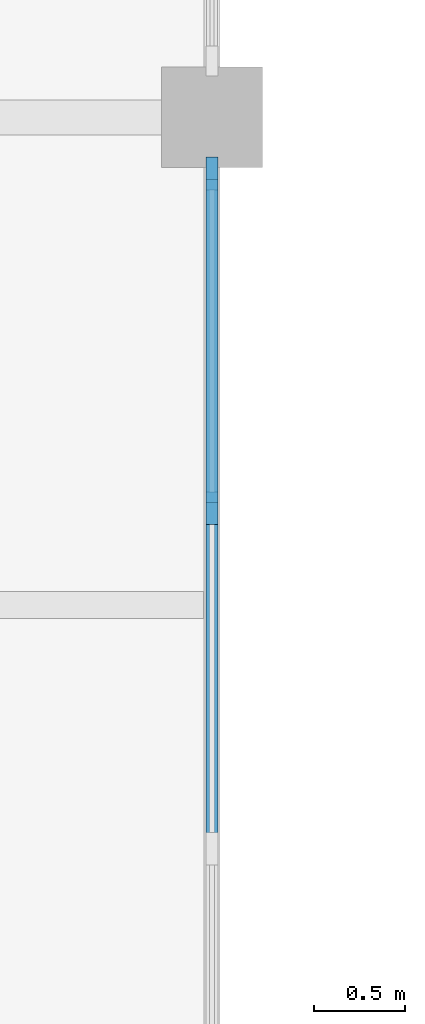
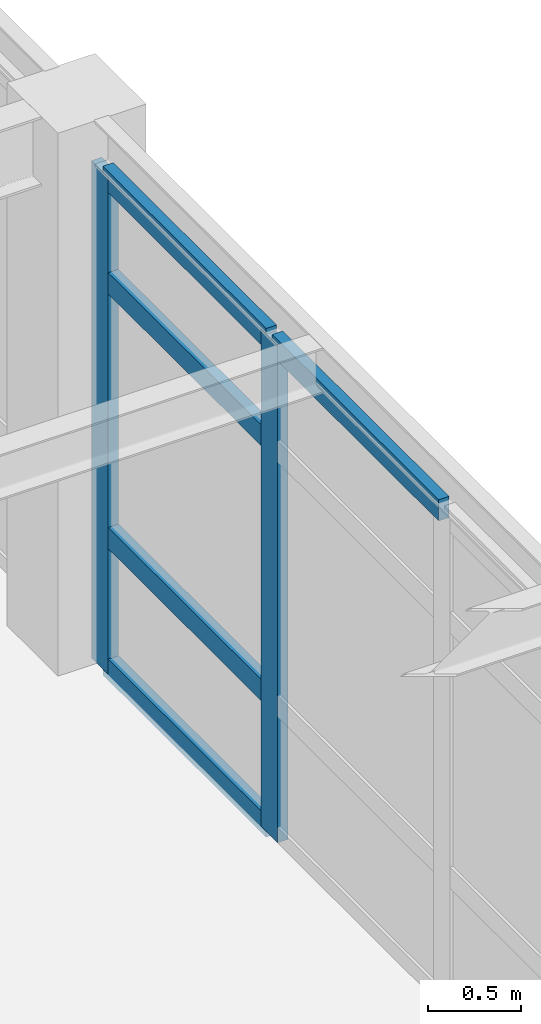
# One storey, part 15 of 53: 7 members, 1 element without a shape of its own.
"""IFC4 building model written with IfcOpenShell, lengths in metres."""

from ifc_helpers import new_model, si_unit, direction, frame, origin, origin_2d, place, context, subcontext, project, spatial, rectangle, extrude, material, layer, layer_set, material_profile, profile_set, type_object, element, aggregate, save


model = new_model("IFC4")

# Units and contexts
model_context = context("Model", 3, precision=1e-05, world=origin(), true_north=direction((0.0, 1.0)))
body_context = subcontext(model_context, "Body", "Model", "MODEL_VIEW")
ifc_project = project(units=[si_unit("LENGTHUNIT", "METRE"), si_unit("AREAUNIT", "SQUARE_METRE"), si_unit("VOLUMEUNIT", "CUBIC_METRE"), si_unit("PLANEANGLEUNIT", "RADIAN"), si_unit("MASSUNIT", "GRAM", prefix="KILO")], contexts=[model_context])

# Site, building, storey
site_placement = place(None, origin())
site = spatial("IfcSite", under=ifc_project, at=site_placement, CompositionType="ELEMENT")
building_placement = place(site_placement, origin())
building = spatial("IfcBuilding", under=site, at=building_placement, Name="Kranzveld Transit Interchange", CompositionType="ELEMENT")
storey_placement = place(building_placement, frame((0.0, 0.0, 13.360107421875)))
storey = spatial("IfcBuildingStorey", under=building, at=storey_placement, Name="L03", CompositionType="ELEMENT", Elevation=13.360107421875)

# Curtain wall, members
ifc_material_1 = material(Name="Bronze-anodised thermally broken aluminium", Category="aluminium")
ifc_layer = layer(ifc_material_1, 0.179931640625)
ifc_layer_set = layer_set([ifc_layer], Name="Bronze-anodised thermally broken aluminium")
curtain_wall_type = type_object("IfcCurtainWallType", Name="Concourse Unitised Curtain Wall CW-1", PredefinedType="USERDEFINED", material=ifc_layer_set)
curtain_wall_placement = place(storey_placement, origin())
curtain_wall = element("IfcCurtainWall", 1, at=curtain_wall_placement, inside=storey, type_object=curtain_wall_type, Name="L03 Curtain Wall 05/K-05/L", ObjectType="CURTAIN WALL", PredefinedType="USERDEFINED")
ifc_material_2 = material(Name="Bronze-anodised thermally broken aluminium", Category="aluminium")
ifc_material_profile_1 = material_profile(ifc_material_2, rectangle(XDim=0.06494140625, YDim=0.179931640625, at=origin_2d()), Name="ALU MULLION 65x180")
ifc_profile_set_1 = profile_set([ifc_material_profile_1], Name="Bronze-anodised thermally broken aluminium")
member_type_1 = type_object("IfcMemberType", Name="Curtain Wall Mullion 65x180 Alu", PredefinedType="MULLION", material=ifc_profile_set_1)
member_1_placement = place(storey_placement, frame((33.60009765625, 77.862548828125, 0.0), z_axis=(0.0, 0.0, 1.0), x_axis=(-1.0, 0.0, 0.0)))
member_1 = element("IfcMember", 2, at=member_1_placement, type_object=member_type_1, Name="CW-1 mullion 4", PredefinedType="MULLION", context=body_context, shape_type="SweptSolid", body=[
    extrude(rectangle(XDim=0.06494140625, YDim=0.179931640625, at=origin_2d()), origin(), (0.0, 0.0, 1.0), 3.27978515625),
])
member_2_placement = place(storey_placement, frame((33.60009765625, 79.6923828125, 0.0), z_axis=(0.0, 0.0, 1.0), x_axis=(-1.0, 0.0, 0.0)))
member_2 = element("IfcMember", 3, at=member_2_placement, type_object=member_type_1, Name="CW-1 mullion 5", PredefinedType="MULLION", context=body_context, shape_type="SweptSolid", body=[
    extrude(rectangle(XDim=0.06494140625, YDim=0.179931640625, at=origin_2d()), origin(), (0.0, 0.0, 1.0), 3.27978515625),
])
ifc_material_3 = material(Name="Bronze-anodised thermally broken aluminium", Category="aluminium")
ifc_material_profile_2 = material_profile(ifc_material_3, rectangle(XDim=0.06494140625, YDim=0.139892578125, at=origin_2d()), Name="ALU TRANSOM 65x140")
ifc_profile_set_2 = profile_set([ifc_material_profile_2], Name="Bronze-anodised thermally broken aluminium")
member_type_2 = type_object("IfcMemberType", Name="Curtain Wall Transom 65x140 Alu", PredefinedType="USERDEFINED", material=ifc_profile_set_2)
member_3_placement = place(storey_placement, frame((33.60009765625, 76.032470703125, 3.247314453125), z_axis=(0.0, 1.0, 0.0), x_axis=(-1.0, 0.0, 0.0)))
member_3 = element("IfcMember", 4, at=member_3_placement, type_object=member_type_2, Name="CW-1 transom 3.4", ObjectType="TRANSOM", PredefinedType="USERDEFINED", context=body_context, shape_type="SweptSolid", body=[
    extrude(rectangle(XDim=0.06494140625, YDim=0.139892578125, at=origin_2d()), origin(), (0.0, 0.0, 1.0), 1.797607421875),
])
member_4_placement = place(storey_placement, frame((33.60009765625, 77.89501953125, 0.032470703125), z_axis=(0.0, 1.0, 0.0), x_axis=(-1.0, 0.0, 0.0)))
member_4 = element("IfcMember", 5, at=member_4_placement, type_object=member_type_2, Name="CW-1 transom 4.1", ObjectType="TRANSOM", PredefinedType="USERDEFINED", context=body_context, shape_type="SweptSolid", body=[
    extrude(rectangle(XDim=0.06494140625, YDim=0.139892578125, at=origin_2d()), origin(), (0.0, 0.0, 1.0), 1.764892578125),
])
member_5_placement = place(storey_placement, frame((33.60009765625, 77.89501953125, 0.89990234375), z_axis=(0.0, 1.0, 0.0), x_axis=(-1.0, 0.0, 0.0)))
member_5 = element("IfcMember", 6, at=member_5_placement, type_object=member_type_2, Name="CW-1 transom 4.2", ObjectType="TRANSOM", PredefinedType="USERDEFINED", context=body_context, shape_type="SweptSolid", body=[
    extrude(rectangle(XDim=0.06494140625, YDim=0.139892578125, at=origin_2d()), origin(), (0.0, 0.0, 1.0), 1.764892578125),
])
member_6_placement = place(storey_placement, frame((33.60009765625, 77.89501953125, 2.579833984375), z_axis=(0.0, 1.0, 0.0), x_axis=(-1.0, 0.0, 0.0)))
member_6 = element("IfcMember", 7, at=member_6_placement, type_object=member_type_2, Name="CW-1 transom 4.3", ObjectType="TRANSOM", PredefinedType="USERDEFINED", context=body_context, shape_type="SweptSolid", body=[
    extrude(rectangle(XDim=0.06494140625, YDim=0.139892578125, at=origin_2d()), origin(), (0.0, 0.0, 1.0), 1.764892578125),
])
member_7_placement = place(storey_placement, frame((33.60009765625, 77.89501953125, 3.247314453125), z_axis=(0.0, 1.0, 0.0), x_axis=(-1.0, 0.0, 0.0)))
member_7 = element("IfcMember", 8, at=member_7_placement, type_object=member_type_2, Name="CW-1 transom 4.4", ObjectType="TRANSOM", PredefinedType="USERDEFINED", context=body_context, shape_type="SweptSolid", body=[
    extrude(rectangle(XDim=0.06494140625, YDim=0.139892578125, at=origin_2d()), origin(), (0.0, 0.0, 1.0), 1.764892578125),
])
aggregate(curtain_wall, [member_1, member_2, member_3, member_4, member_5, member_6, member_7])

save(model, "model.ifc")
